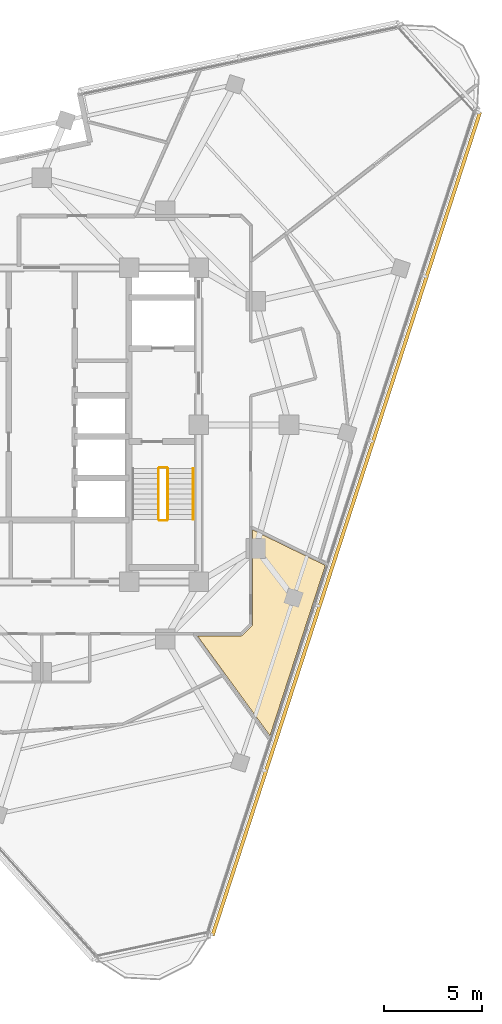
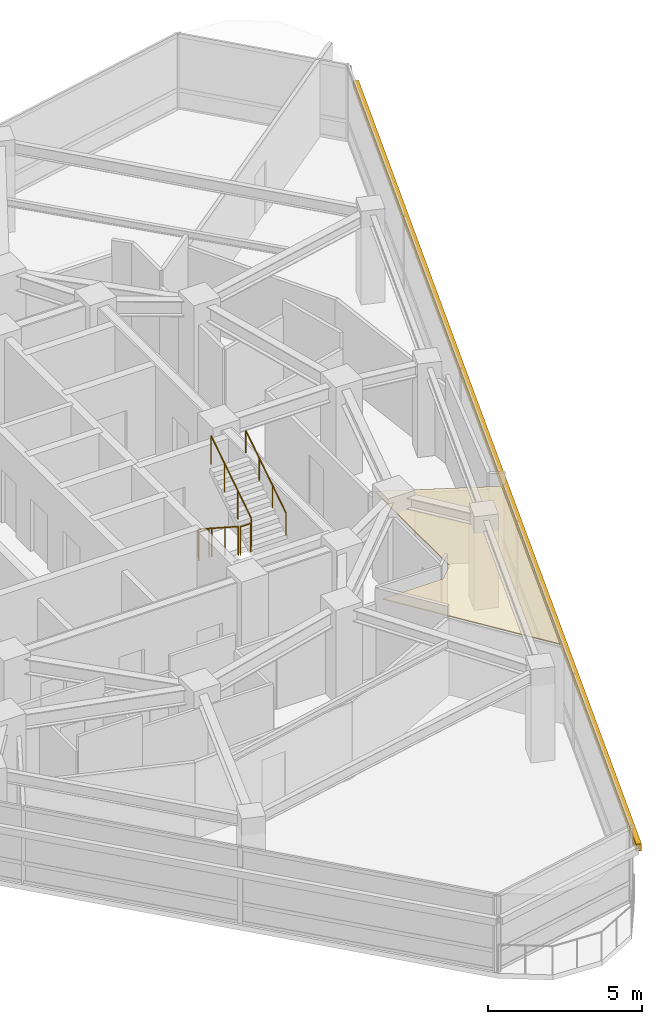
# One storey, part 13 of 15: 5 railings, 1 covering, 1 shading device.
"""IFC4 building model written with IfcOpenShell, lengths in metres."""

from ifc_helpers import new_model, si_unit, direction, frame, origin, origin_2d, place, context, subcontext, project, spatial, polyline, rectangle, circle, outline, extrude, material, layer, layer_set, type_object, element, save


model = new_model("IFC4")

# Units and contexts
model_context = context("Model", 3, precision=1e-05, world=origin(), true_north=direction((0.0, 1.0)))
body_context = subcontext(model_context, "Body", "Model", "MODEL_VIEW")
ifc_project = project(units=[si_unit("LENGTHUNIT", "METRE"), si_unit("AREAUNIT", "SQUARE_METRE"), si_unit("VOLUMEUNIT", "CUBIC_METRE"), si_unit("PLANEANGLEUNIT", "RADIAN"), si_unit("MASSUNIT", "GRAM", prefix="KILO")], contexts=[model_context])

# Site, building, storey
site_placement = place(None, origin())
site = spatial("IfcSite", under=ifc_project, at=site_placement, CompositionType="ELEMENT")
building_placement = place(site_placement, origin())
building = spatial("IfcBuilding", under=site, at=building_placement, Name="Terralouvre Media Tower", CompositionType="ELEMENT")
storey_placement = place(building_placement, frame((0.0, 0.0, 301.699951171875)))
storey = spatial("IfcBuildingStorey", under=building, at=storey_placement, Name="L78", CompositionType="ELEMENT", Elevation=301.699951171875)

# Covering
ifc_material_1 = material(Name="Perforated aluminium acoustic ceiling baffle", Category="aluminium")
ifc_layer_1 = layer(ifc_material_1, 0.0400390625, Name="Perforated Acoustic Metal Tile Ceiling CL-AC1")
ifc_layer_set_1 = layer_set([ifc_layer_1], Name="Perforated aluminium acoustic ceiling baffle")
covering_type = type_object("IfcCoveringType", Name="Perforated Acoustic Metal Tile Ceiling CL-AC1", PredefinedType="CEILING", material=ifc_layer_set_1)
covering_placement = place(storey_placement, frame((0.0, 0.0, 2.97998046875), z_axis=(0.0, 0.0, 1.0), x_axis=(0.309016994375, 0.951056516295, 0.0)))
element("IfcCovering", 1, at=covering_placement, inside=storey, type_object=covering_type, Name="L78 Design Critique Boardroom 5 Acoustic Ceiling", PredefinedType="CEILING", context=body_context, shape_type="SweptSolid", body=[
    extrude(outline(polyline([(-1.77001953125, -11.87841796875), (-6.331298828125, -13.3603515625), (-6.3408203125, -13.363037109375), (-6.350341796875, -13.364501953125), (-6.360107421875, -13.365234375), (-6.3701171875, -13.364990234375), (-6.379638671875, -13.36376953125), (-6.389404296875, -13.361572265625), (-6.398681640625, -13.3583984375), (-6.407470703125, -13.354248046875), (-7.03759765625, -13.033447265625), (-7.046142578125, -13.0283203125), (-7.05419921875, -13.022705078125), (-7.0615234375, -13.016357421875), (-7.068359375, -13.00927734375), (-7.07421875, -13.00146484375), (-7.07958984375, -12.9931640625), (-7.083740234375, -12.984375), (-7.08740234375, -12.97509765625), (-7.77197265625, -10.867919921875), (-9.16162109375, -12.779541015625), (-11.468994140625, -15.95654296875), (-2.34375, -15.956298828125), (-2.287353515625, -15.557373046875), (-1.77001953125, -11.87841796875)])), origin(), (0.0, 0.0, 1.0), 0.0400390625),
])

# Railings
ifc_material_2 = material(Name="Stainless steel 316 handrail and balustrade", Category="steel")
ifc_layer_2 = layer(ifc_material_2, 0.050048828125, Name="Stair Flight Wall Handrail HR-INT1")
ifc_layer_set_2 = layer_set([ifc_layer_2], Name="Stainless steel 316 handrail and balustrade")
railing_type_1 = type_object("IfcRailingType", Name="Stair Flight Wall Handrail HR-INT1", PredefinedType="HANDRAIL", material=ifc_layer_set_2)
railing_1_placement = place(storey_placement, frame((7.72998046875, -4.820068359375, 2.018310546875)))
element("IfcRailing", 2, at=railing_1_placement, inside=storey, type_object=railing_type_1, Name="L78 ST-02 stair handrail 2", PredefinedType="HANDRAIL", context=body_context, shape_type="SweptSolid", body=[
    extrude(circle(Radius=0.02392578125, at=origin_2d()), frame((0.0, 0.0, 0.8759765625), z_axis=(0.0, 0.839684365666, 0.543074733399), x_axis=(-1.0, 0.0, 0.0)), (0.0, 0.0, 1.0), 3.096435546875),
    extrude(circle(Radius=0.02099609375, at=origin_2d()), origin(), (0.0, 0.0, 1.0), 0.851806640625),
    extrude(circle(Radius=0.02099609375, at=origin_2d()), frame((0.0, 0.86669921875, 0.560546875)), (0.0, 0.0, 1.0), 0.851806640625),
    extrude(circle(Radius=0.02099609375, at=origin_2d()), frame((0.0, 1.7333984375, 1.12109375)), (0.0, 0.0, 1.0), 0.851806640625),
    extrude(circle(Radius=0.02099609375, at=origin_2d()), frame((0.0, 2.60009765625, 1.681640625)), (0.0, 0.0, 1.0), 0.851806640625),
])
ifc_material_3 = material(Name="Stainless steel 316 handrail and balustrade", Category="steel")
ifc_layer_3 = layer(ifc_material_3, 0.050048828125, Name="Stairwell Safety Guardrail GR-INT1")
ifc_layer_set_3 = layer_set([ifc_layer_3], Name="Stainless steel 316 handrail and balustrade")
railing_type_2 = type_object("IfcRailingType", Name="Stairwell Safety Guardrail GR-INT1", PredefinedType="GUARDRAIL", material=ifc_layer_set_3)
railing_2_placement = place(storey_placement, frame((5.949951171875, -2.219970703125, 0.168212890625)))
element("IfcRailing", 3, at=railing_2_placement, inside=storey, type_object=railing_type_2, Name="L78 ST-02 stair guard 1", PredefinedType="GUARDRAIL", context=body_context, shape_type="SweptSolid", body=[
    extrude(circle(Radius=0.02392578125, at=origin_2d()), frame((0.0, 0.0, 1.1259765625), z_axis=(0.0, -0.839648411786, 0.543130320075), x_axis=(1.0, 0.0, 0.0)), (0.0, 0.0, 1.0), 3.0966796875),
    extrude(circle(Radius=0.02099609375, at=origin_2d()), origin(), (0.0, 0.0, 1.0), 1.101806640625),
    extrude(circle(Radius=0.02099609375, at=origin_2d()), frame((0.0, -0.86669921875, 0.560546875)), (0.0, 0.0, 1.0), 1.101806640625),
    extrude(circle(Radius=0.02099609375, at=origin_2d()), frame((0.0, -1.7333984375, 1.121337890625)), (0.0, 0.0, 1.0), 1.101806640625),
    extrude(circle(Radius=0.02099609375, at=origin_2d()), frame((0.0, -2.60009765625, 1.681884765625)), (0.0, 0.0, 1.0), 1.101806640625),
])
railing_3_placement = place(storey_placement, frame((6.0, -4.8701171875, 1.85009765625)))
element("IfcRailing", 4, at=railing_3_placement, inside=storey, type_object=railing_type_2, Name="L78 ST-02 stair guard 2", PredefinedType="GUARDRAIL", context=body_context, shape_type="SweptSolid", body=[
    extrude(circle(Radius=0.02392578125, at=origin_2d()), frame((0.0, 0.0, 1.1259765625), z_axis=(1.0, 0.0, 0.0), x_axis=(0.0, 1.0, 0.0)), (0.0, 0.0, 1.0), 0.3798828125),
    extrude(circle(Radius=0.02099609375, at=origin_2d()), origin(), (0.0, 0.0, 1.0), 1.101806640625),
    extrude(circle(Radius=0.02099609375, at=origin_2d()), frame((0.3798828125, 0.0, 0.0)), (0.0, 0.0, 1.0), 1.101806640625),
])
railing_4_placement = place(storey_placement, frame((6.429931640625, -4.820068359375, 2.018310546875)))
element("IfcRailing", 5, at=railing_4_placement, inside=storey, type_object=railing_type_2, Name="L78 ST-02 stair guard 3", PredefinedType="GUARDRAIL", context=body_context, shape_type="SweptSolid", body=[
    extrude(circle(Radius=0.02392578125, at=origin_2d()), frame((0.0, 0.0, 1.1259765625), z_axis=(0.0, 0.839684365666, 0.543074733399), x_axis=(-1.0, 0.0, 0.0)), (0.0, 0.0, 1.0), 3.096435546875),
    extrude(circle(Radius=0.02099609375, at=origin_2d()), origin(), (0.0, 0.0, 1.0), 1.101806640625),
    extrude(circle(Radius=0.02099609375, at=origin_2d()), frame((0.0, 0.86669921875, 0.560546875)), (0.0, 0.0, 1.0), 1.101806640625),
    extrude(circle(Radius=0.02099609375, at=origin_2d()), frame((0.0, 1.7333984375, 1.12109375)), (0.0, 0.0, 1.0), 1.101806640625),
    extrude(circle(Radius=0.02099609375, at=origin_2d()), frame((0.0, 2.60009765625, 1.681640625)), (0.0, 0.0, 1.0), 1.101806640625),
])
railing_5_placement = place(storey_placement, frame((6.0, -2.169921875, 0.0)))
element("IfcRailing", 6, at=railing_5_placement, inside=storey, type_object=railing_type_2, Name="L78 ST-02 stair guard 4", PredefinedType="GUARDRAIL", context=body_context, shape_type="SweptSolid", body=[
    extrude(circle(Radius=0.02392578125, at=origin_2d()), frame((0.0, 0.0, 1.1259765625), z_axis=(1.0, 0.0, 0.0), x_axis=(0.0, 1.0, 0.0)), (0.0, 0.0, 1.0), 0.3798828125),
    extrude(circle(Radius=0.02099609375, at=origin_2d()), origin(), (0.0, 0.0, 1.0), 1.101806640625),
    extrude(circle(Radius=0.02099609375, at=origin_2d()), frame((0.3798828125, 0.0, 0.0)), (0.0, 0.0, 1.0), 1.101806640625),
])

# Shading device
ifc_material_4 = material(Name="Extruded terracotta baguette sunshade louvres", Category="masonry")
shading_device_type = type_object("IfcShadingDeviceType", Name="Terracotta Baguette Sunshade Louvre Screen TB-LV1", PredefinedType="USERDEFINED", material=ifc_material_4)
shading_device_placement = place(storey_placement, frame((15.517822265625, -5.0419921875, 2.02392578125), z_axis=(0.0, 0.0, 1.0), x_axis=(0.309017021946, 0.951056507337, 0.0)))
element("IfcShadingDevice", 7, at=shading_device_placement, inside=storey, type_object=shading_device_type, Name="CW-L78-F0 Terracotta Baguette Sunshade Louvre", ObjectType="BAGUETTE", PredefinedType="USERDEFINED", context=body_context, shape_type="SweptSolid", body=[
    extrude(rectangle(XDim=44.1201171875, YDim=0.179931640625, at=origin_2d()), origin(), (0.0, 0.0, 1.0), 0.280029296875),
])

save(model, "model.ifc")
